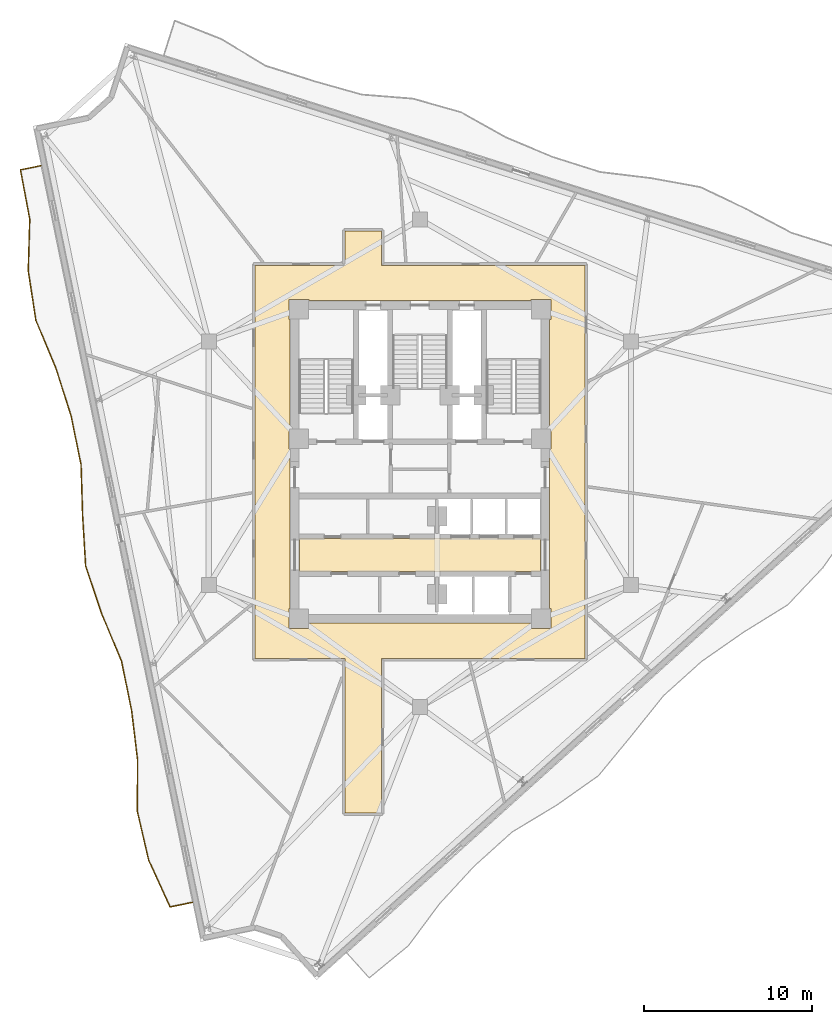
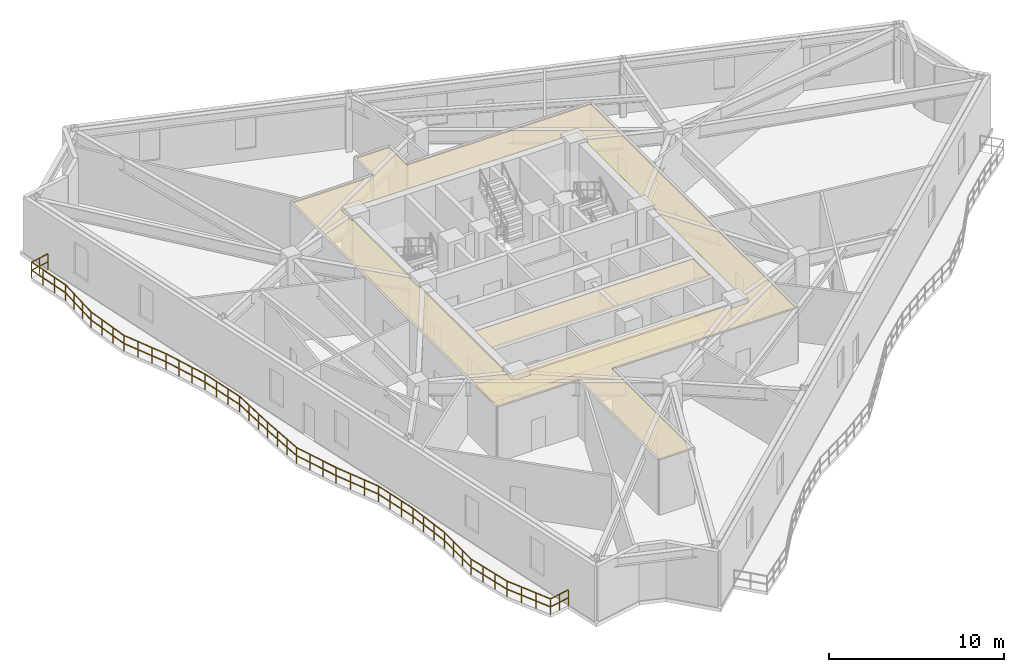
# One storey, part 9 of 12: 3 coverings, 1 railing.
"""IFC4 building model written with IfcOpenShell, lengths in metres."""

from ifc_helpers import new_model, si_unit, direction, frame, origin, origin_2d, place, context, subcontext, project, spatial, polyline, rectangle, outline, extrude, material, layer, layer_set, type_object, element, save


model = new_model("IFC4")

# Units and contexts
model_context = context("Model", 3, precision=1e-05, world=origin(), true_north=direction((0.0, 1.0)))
body_context = subcontext(model_context, "Body", "Model", "MODEL_VIEW")
ifc_project = project(units=[si_unit("LENGTHUNIT", "METRE"), si_unit("AREAUNIT", "SQUARE_METRE"), si_unit("VOLUMEUNIT", "CUBIC_METRE"), si_unit("PLANEANGLEUNIT", "RADIAN"), si_unit("MASSUNIT", "GRAM", prefix="KILO")], contexts=[model_context])

# Site, building, storey
site_placement = place(None, origin())
site = spatial("IfcSite", under=ifc_project, at=site_placement, CompositionType="ELEMENT")
building_placement = place(site_placement, origin())
building = spatial("IfcBuilding", under=site, at=building_placement, Name="Apsidion Concourse Tower", CompositionType="ELEMENT")
storey_placement = place(building_placement, frame((0.0, 0.0, 232.199951171875)))
storey = spatial("IfcBuildingStorey", under=building, at=storey_placement, Name="L54", CompositionType="ELEMENT", Elevation=232.199951171875)

# Coverings
ifc_material_1 = material(Name="Acoustic mineral fibre ceiling")
ifc_layer_1 = layer(ifc_material_1, 0.0400390625)
ifc_layer_set_1 = layer_set([ifc_layer_1], Name="Acoustic mineral fibre ceiling")
covering_type_1 = type_object("IfcCoveringType", Name="COV-CEIL-40", PredefinedType="CEILING", material=ifc_layer_set_1)
covering_1_placement = place(storey_placement, frame((0.0, 0.0, 3.75)))
element("IfcCovering", 1, at=covering_1_placement, inside=storey, type_object=covering_type_1, Name="L54 Acoustic Ceiling Grid 1", PredefinedType="CEILING", context=body_context, shape_type="SweptSolid", body=[
    extrude(outline(polyline([(-7.179931640625, -6.449951171875), (-7.179931640625, -4.47998046875), (7.179931640625, -4.47998046875), (7.179931640625, -6.449951171875), (-7.179931640625, -6.449951171875)])), origin(), (0.0, 0.0, 1.0), 0.0400390625),
])
covering_2_placement = place(storey_placement, frame((0.0, 0.0, 3.75)))
element("IfcCovering", 2, at=covering_2_placement, inside=storey, type_object=covering_type_1, Name="L54 Acoustic Ceiling Grid 2", PredefinedType="CEILING", context=body_context, shape_type="SweptSolid", body=[
    extrude(outline(polyline([(-9.820068359375, -11.6201171875), (-9.820068359375, 11.77001953125), (-4.449951171875, 11.77001953125), (-4.449951171875, 13.800048828125), (-2.300048828125, 13.800048828125), (-2.300048828125, 11.77001953125), (9.820068359375, 11.77001953125), (9.820068359375, -11.6201171875), (-2.300048828125, -11.6201171875), (-2.300048828125, -20.800048828125), (-4.449951171875, -20.800048828125), (-4.449951171875, -11.6201171875), (-9.820068359375, -11.6201171875)]), holes=[polyline([(-2.300048828125, 9.669921875), (-4.449951171875, 9.669921875), (-6.60498046875, 9.669921875), (-6.60498046875, 9.72509765625), (-6.60498046875, 9.72705078125), (-6.60546875, 9.72900390625), (-6.60595703125, 9.730712890625), (-6.6064453125, 9.732666015625), (-6.607421875, 9.734375), (-6.6083984375, 9.736083984375), (-6.609619140625, 9.73779296875), (-6.61083984375, 9.739013671875), (-6.6123046875, 9.740478515625), (-6.614013671875, 9.74169921875), (-6.615478515625, 9.74267578125), (-6.6171875, 9.743408203125), (-6.619140625, 9.744140625), (-6.62109375, 9.74462890625), (-6.623046875, 9.744873046875), (-6.625, 9.7451171875), (-7.77490234375, 9.7451171875), (-7.777099609375, 9.744873046875), (-7.77880859375, 9.74462890625), (-7.78076171875, 9.744140625), (-7.78271484375, 9.743408203125), (-7.784423828125, 9.74267578125), (-7.7861328125, 9.74169921875), (-7.78759765625, 9.740478515625), (-7.7890625, 9.739013671875), (-7.79052734375, 9.73779296875), (-7.79150390625, 9.736083984375), (-7.79248046875, 9.734375), (-7.79345703125, 9.732666015625), (-7.794189453125, 9.730712890625), (-7.794677734375, 9.72900390625), (-7.794921875, 9.72705078125), (-7.794921875, 9.72509765625), (-7.794921875, 8.574951171875), (-7.794921875, 8.572998046875), (-7.794677734375, 8.571044921875), (-7.794189453125, 8.569091796875), (-7.79345703125, 8.5673828125), (-7.79248046875, 8.565673828125), (-7.79150390625, 8.56396484375), (-7.79052734375, 8.562255859375), (-7.7890625, 8.560791015625), (-7.78759765625, 8.5595703125), (-7.7861328125, 8.558349609375), (-7.784423828125, 8.557373046875), (-7.78271484375, 8.556396484375), (-7.78076171875, 8.555908203125), (-7.77880859375, 8.555419921875), (-7.777099609375, 8.55517578125), (-7.77490234375, 8.554931640625), (-7.719970703125, 8.554931640625), (-7.719970703125, 2.044921875), (-7.77490234375, 2.044921875), (-7.777099609375, 2.044921875), (-7.77880859375, 2.044677734375), (-7.78076171875, 2.044189453125), (-7.78271484375, 2.04345703125), (-7.784423828125, 2.04248046875), (-7.7861328125, 2.04150390625), (-7.78759765625, 2.04052734375), (-7.7890625, 2.0390625), (-7.79052734375, 2.03759765625), (-7.79150390625, 2.0361328125), (-7.79248046875, 2.034423828125), (-7.79345703125, 2.03271484375), (-7.794189453125, 2.03076171875), (-7.794677734375, 2.02880859375), (-7.794921875, 2.027099609375), (-7.794921875, 2.02490234375), (-7.794921875, 0.875), (-7.794921875, 0.873046875), (-7.794677734375, 0.87109375), (-7.794189453125, 0.869140625), (-7.79345703125, 0.8671875), (-7.79248046875, 0.865478515625), (-7.79150390625, 0.864013671875), (-7.79052734375, 0.8623046875), (-7.7890625, 0.86083984375), (-7.78759765625, 0.859619140625), (-7.7861328125, 0.8583984375), (-7.784423828125, 0.857421875), (-7.78271484375, 0.8564453125), (-7.78076171875, 0.85595703125), (-7.77880859375, 0.85546875), (-7.777099609375, 0.85498046875), (-7.77490234375, 0.85498046875), (-7.719970703125, 0.85498046875), (-7.719970703125, -8.655029296875), (-7.77490234375, -8.655029296875), (-7.777099609375, -8.655029296875), (-7.77880859375, -8.655517578125), (-7.78076171875, -8.656005859375), (-7.78271484375, -8.656494140625), (-7.784423828125, -8.657470703125), (-7.7861328125, -8.658447265625), (-7.78759765625, -8.659423828125), (-7.7890625, -8.660888671875), (-7.79052734375, -8.662353515625), (-7.79150390625, -8.663818359375), (-7.79248046875, -8.66552734375), (-7.79345703125, -8.667236328125), (-7.794189453125, -8.669189453125), (-7.794677734375, -8.671142578125), (-7.794921875, -8.673095703125), (-7.794921875, -8.675048828125), (-7.794921875, -9.824951171875), (-7.794921875, -9.826904296875), (-7.794677734375, -9.828857421875), (-7.794189453125, -9.830810546875), (-7.79345703125, -9.832763671875), (-7.79248046875, -9.83447265625), (-7.79150390625, -9.836181640625), (-7.79052734375, -9.837646484375), (-7.7890625, -9.839111328125), (-7.78759765625, -9.840576171875), (-7.7861328125, -9.841552734375), (-7.784423828125, -9.842529296875), (-7.78271484375, -9.843505859375), (-7.78076171875, -9.843994140625), (-7.77880859375, -9.844482421875), (-7.777099609375, -9.844970703125), (-7.77490234375, -9.844970703125), (-6.625, -9.844970703125), (-6.623046875, -9.844970703125), (-6.62109375, -9.844482421875), (-6.619140625, -9.843994140625), (-6.6171875, -9.843505859375), (-6.615478515625, -9.842529296875), (-6.614013671875, -9.841552734375), (-6.6123046875, -9.840576171875), (-6.61083984375, -9.839111328125), (-6.609619140625, -9.837646484375), (-6.6083984375, -9.836181640625), (-6.607421875, -9.83447265625), (-6.6064453125, -9.832763671875), (-6.60595703125, -9.830810546875), (-6.60546875, -9.828857421875), (-6.60498046875, -9.826904296875), (-6.60498046875, -9.824951171875), (-6.60498046875, -9.52001953125), (-4.449951171875, -9.52001953125), (-2.300048828125, -9.52001953125), (6.60498046875, -9.52001953125), (6.60498046875, -9.824951171875), (6.60498046875, -9.826904296875), (6.60546875, -9.828857421875), (6.60595703125, -9.830810546875), (6.6064453125, -9.832763671875), (6.607421875, -9.83447265625), (6.6083984375, -9.836181640625), (6.609619140625, -9.837646484375), (6.61083984375, -9.839111328125), (6.6123046875, -9.840576171875), (6.614013671875, -9.841552734375), (6.615478515625, -9.842529296875), (6.6171875, -9.843505859375), (6.619140625, -9.843994140625), (6.62109375, -9.844482421875), (6.623046875, -9.844970703125), (6.625, -9.844970703125), (7.77490234375, -9.844970703125), (7.777099609375, -9.844970703125), (7.77880859375, -9.844482421875), (7.78076171875, -9.843994140625), (7.78271484375, -9.843505859375), (7.784423828125, -9.842529296875), (7.7861328125, -9.841552734375), (7.78759765625, -9.840576171875), (7.7890625, -9.839111328125), (7.79052734375, -9.837646484375), (7.79150390625, -9.836181640625), (7.79248046875, -9.83447265625), (7.79345703125, -9.832763671875), (7.794189453125, -9.830810546875), (7.794677734375, -9.828857421875), (7.794921875, -9.826904296875), (7.794921875, -9.824951171875), (7.794921875, -8.675048828125), (7.794921875, -8.673095703125), (7.794677734375, -8.671142578125), (7.794189453125, -8.669189453125), (7.79345703125, -8.667236328125), (7.79248046875, -8.66552734375), (7.79150390625, -8.663818359375), (7.79052734375, -8.662353515625), (7.7890625, -8.660888671875), (7.78759765625, -8.659423828125), (7.7861328125, -8.658447265625), (7.784423828125, -8.657470703125), (7.78271484375, -8.656494140625), (7.78076171875, -8.656005859375), (7.77880859375, -8.655517578125), (7.777099609375, -8.655029296875), (7.77490234375, -8.655029296875), (7.719970703125, -8.655029296875), (7.719970703125, 0.85498046875), (7.77490234375, 0.85498046875), (7.777099609375, 0.85498046875), (7.77880859375, 0.85546875), (7.78076171875, 0.85595703125), (7.78271484375, 0.8564453125), (7.784423828125, 0.857421875), (7.7861328125, 0.8583984375), (7.78759765625, 0.859619140625), (7.7890625, 0.86083984375), (7.79052734375, 0.8623046875), (7.79150390625, 0.864013671875), (7.79248046875, 0.865478515625), (7.79345703125, 0.8671875), (7.794189453125, 0.869140625), (7.794677734375, 0.87109375), (7.794921875, 0.873046875), (7.794921875, 0.875), (7.794921875, 2.02490234375), (7.794921875, 2.027099609375), (7.794677734375, 2.02880859375), (7.794189453125, 2.03076171875), (7.79345703125, 2.03271484375), (7.79248046875, 2.034423828125), (7.79150390625, 2.0361328125), (7.79052734375, 2.03759765625), (7.7890625, 2.0390625), (7.78759765625, 2.04052734375), (7.7861328125, 2.04150390625), (7.784423828125, 2.04248046875), (7.78271484375, 2.04345703125), (7.78076171875, 2.044189453125), (7.77880859375, 2.044677734375), (7.777099609375, 2.044921875), (7.77490234375, 2.044921875), (7.719970703125, 2.044921875), (7.719970703125, 8.554931640625), (7.77490234375, 8.554931640625), (7.777099609375, 8.55517578125), (7.77880859375, 8.555419921875), (7.78076171875, 8.555908203125), (7.78271484375, 8.556396484375), (7.784423828125, 8.557373046875), (7.7861328125, 8.558349609375), (7.78759765625, 8.5595703125), (7.7890625, 8.560791015625), (7.79052734375, 8.562255859375), (7.79150390625, 8.56396484375), (7.79248046875, 8.565673828125), (7.79345703125, 8.5673828125), (7.794189453125, 8.569091796875), (7.794677734375, 8.571044921875), (7.794921875, 8.572998046875), (7.794921875, 8.574951171875), (7.794921875, 9.72509765625), (7.794921875, 9.72705078125), (7.794677734375, 9.72900390625), (7.794189453125, 9.730712890625), (7.79345703125, 9.732666015625), (7.79248046875, 9.734375), (7.79150390625, 9.736083984375), (7.79052734375, 9.73779296875), (7.7890625, 9.739013671875), (7.78759765625, 9.740478515625), (7.7861328125, 9.74169921875), (7.784423828125, 9.74267578125), (7.78271484375, 9.743408203125), (7.78076171875, 9.744140625), (7.77880859375, 9.74462890625), (7.777099609375, 9.744873046875), (7.77490234375, 9.7451171875), (6.625, 9.7451171875), (6.623046875, 9.744873046875), (6.62109375, 9.74462890625), (6.619140625, 9.744140625), (6.6171875, 9.743408203125), (6.615478515625, 9.74267578125), (6.614013671875, 9.74169921875), (6.6123046875, 9.740478515625), (6.61083984375, 9.739013671875), (6.609619140625, 9.73779296875), (6.6083984375, 9.736083984375), (6.607421875, 9.734375), (6.6064453125, 9.732666015625), (6.60595703125, 9.730712890625), (6.60546875, 9.72900390625), (6.60498046875, 9.72705078125), (6.60498046875, 9.72509765625), (6.60498046875, 9.669921875), (-2.300048828125, 9.669921875)])]), origin(), (0.0, 0.0, 1.0), 0.0400390625),
])
ifc_material_2 = material(Name="Honed travertine floor finish", Category="masonry")
ifc_layer_2 = layer(ifc_material_2, 0.02001953125)
ifc_layer_set_2 = layer_set([ifc_layer_2], Name="Honed travertine floor finish")
covering_type_2 = type_object("IfcCoveringType", Name="COV-FLOR-20", PredefinedType="FLOORING", material=ifc_layer_set_2)
covering_3_placement = place(storey_placement, origin())
element("IfcCovering", 3, at=covering_3_placement, inside=storey, type_object=covering_type_2, Name="L54 Honed Travertine Floor Finish 1", PredefinedType="FLOORING", context=body_context, shape_type="SweptSolid", body=[
    extrude(outline(polyline([(-7.179931640625, -6.449951171875), (-7.179931640625, -4.47998046875), (7.179931640625, -4.47998046875), (7.179931640625, -6.449951171875), (-7.179931640625, -6.449951171875)])), origin(), (0.0, 0.0, 1.0), 0.02001953125),
])

# Railing
ifc_material_3 = material(Name="Brushed stainless steel 316", Category="steel")
railing_type = type_object("IfcRailingType", Name="RL-BAL-1120", PredefinedType="BALUSTRADE", material=ifc_material_3)
railing_placement = place(storey_placement, frame((-13.5322265625, -26.12451171875, 0.0)))
element("IfcRailing", 4, at=railing_placement, inside=storey, type_object=railing_type, Name="L54 Face 1 Rippling Balcony Balustrade", PredefinedType="BALUSTRADE", context=body_context, shape_type="SweptSolid", body=[
    extrude(rectangle(XDim=0.048095703125, YDim=0.048095703125, at=origin_2d()), frame((0.0, 0.0, 1.09619140625), z_axis=(-0.979512169577, -0.20138497871, 0.0), x_axis=(0.20138497871, -0.979512169577, 0.0)), (0.0, 0.0, 1.0), 1.362548828125),
    extrude(rectangle(XDim=0.048095703125, YDim=0.048095703125, at=origin_2d()), frame((0.0, 0.0, 0.5361328125), z_axis=(-0.979512169577, -0.20138497871, 0.0), x_axis=(0.20138497871, -0.979512169577, 0.0)), (0.0, 0.0, 1.0), 1.362548828125),
    extrude(rectangle(XDim=0.048095703125, YDim=0.048095703125, at=origin_2d()), frame((-1.334716796875, -0.2744140625, 1.09619140625), z_axis=(-0.416391061411, 0.9091856158, 0.0), x_axis=(-0.9091856158, -0.416391061411, 0.0)), (0.0, 0.0, 1.0), 3.061279296875),
    extrude(rectangle(XDim=0.048095703125, YDim=0.048095703125, at=origin_2d()), frame((-1.334716796875, -0.2744140625, 0.5361328125), z_axis=(-0.416391061411, 0.9091856158, 0.0), x_axis=(-0.9091856158, -0.416391061411, 0.0)), (0.0, 0.0, 1.0), 3.061279296875),
    extrude(rectangle(XDim=0.048095703125, YDim=0.048095703125, at=origin_2d()), frame((-2.609375, 2.5087890625, 1.09619140625), z_axis=(-0.226388940507, 0.974036984727, 0.0), x_axis=(-0.974036984727, -0.226388940507, 0.0)), (0.0, 0.0, 1.0), 2.98388671875),
    extrude(rectangle(XDim=0.048095703125, YDim=0.048095703125, at=origin_2d()), frame((-2.609375, 2.5087890625, 0.5361328125), z_axis=(-0.226388940507, 0.974036984727, 0.0), x_axis=(-0.974036984727, -0.226388940507, 0.0)), (0.0, 0.0, 1.0), 2.98388671875),
    extrude(rectangle(XDim=0.048095703125, YDim=0.048095703125, at=origin_2d()), frame((-3.284912109375, 5.415283203125, 1.09619140625), z_axis=(0.004885022196, 0.999988068208, 0.0), x_axis=(-0.999988068208, 0.004885022196, 0.0)), (0.0, 0.0, 1.0), 3.048583984375),
    extrude(rectangle(XDim=0.048095703125, YDim=0.048095703125, at=origin_2d()), frame((-3.284912109375, 5.415283203125, 0.5361328125), z_axis=(0.004885022196, 0.999988068208, 0.0), x_axis=(-0.999988068208, 0.004885022196, 0.0)), (0.0, 0.0, 1.0), 3.048583984375),
    extrude(rectangle(XDim=0.048095703125, YDim=0.048095703125, at=origin_2d()), frame((-3.27001953125, 8.4638671875, 1.09619140625), z_axis=(-0.119576198528, 0.992825026249, 0.0), x_axis=(-0.992825026249, -0.119576198528, 0.0)), (0.0, 0.0, 1.0), 2.9931640625),
    extrude(rectangle(XDim=0.048095703125, YDim=0.048095703125, at=origin_2d()), frame((-3.27001953125, 8.4638671875, 0.5361328125), z_axis=(-0.119576198528, 0.992825026249, 0.0), x_axis=(-0.992825026249, -0.119576198528, 0.0)), (0.0, 0.0, 1.0), 2.9931640625),
    extrude(rectangle(XDim=0.048095703125, YDim=0.048095703125, at=origin_2d()), frame((-3.6279296875, 11.435546875, 1.09619140625), z_axis=(-0.201417367965, 0.979505509878, 0.0), x_axis=(-0.979505509878, -0.201417367965, 0.0)), (0.0, 0.0, 1.0), 2.98291015625),
    extrude(rectangle(XDim=0.048095703125, YDim=0.048095703125, at=origin_2d()), frame((-3.6279296875, 11.435546875, 0.5361328125), z_axis=(-0.201417367965, 0.979505509878, 0.0), x_axis=(-0.979505509878, -0.201417367965, 0.0)), (0.0, 0.0, 1.0), 2.98291015625),
    extrude(rectangle(XDim=0.048095703125, YDim=0.048095703125, at=origin_2d()), frame((-4.228759765625, 14.357421875, 1.09619140625), z_axis=(-0.38592669414, 0.922529450343, 0.0), x_axis=(-0.922529450343, -0.38592669414, 0.0)), (0.0, 0.0, 1.0), 3.039794921875),
    extrude(rectangle(XDim=0.048095703125, YDim=0.048095703125, at=origin_2d()), frame((-4.228759765625, 14.357421875, 0.5361328125), z_axis=(-0.38592669414, 0.922529450343, 0.0), x_axis=(-0.922529450343, -0.38592669414, 0.0)), (0.0, 0.0, 1.0), 3.039794921875),
    extrude(rectangle(XDim=0.048095703125, YDim=0.048095703125, at=origin_2d()), frame((-5.40185546875, 17.16162109375, 1.09619140625), z_axis=(-0.318858656013, 0.947802277633, 0.0), x_axis=(-0.947802277633, -0.318858656013, 0.0)), (0.0, 0.0, 1.0), 3.00537109375),
    extrude(rectangle(XDim=0.048095703125, YDim=0.048095703125, at=origin_2d()), frame((-5.40185546875, 17.16162109375, 0.5361328125), z_axis=(-0.318858656013, 0.947802277633, 0.0), x_axis=(-0.947802277633, -0.318858656013, 0.0)), (0.0, 0.0, 1.0), 3.00537109375),
    extrude(rectangle(XDim=0.048095703125, YDim=0.048095703125, at=origin_2d()), frame((-6.360107421875, 20.010009765625, 1.09619140625), z_axis=(-0.060108614442, 0.998191842518, 0.0), x_axis=(-0.998191842518, -0.060108614442, 0.0)), (0.0, 0.0, 1.0), 3.013671875),
    extrude(rectangle(XDim=0.048095703125, YDim=0.048095703125, at=origin_2d()), frame((-6.360107421875, 20.010009765625, 0.5361328125), z_axis=(-0.060108614442, 0.998191842518, 0.0), x_axis=(-0.998191842518, -0.060108614442, 0.0)), (0.0, 0.0, 1.0), 3.013671875),
    extrude(rectangle(XDim=0.048095703125, YDim=0.048095703125, at=origin_2d()), frame((-6.541259765625, 23.018310546875, 1.09619140625), z_axis=(-0.030074314691, 0.999547665495, 0.0), x_axis=(-0.999547665495, -0.030074314691, 0.0)), (0.0, 0.0, 1.0), 3.028076171875),
    extrude(rectangle(XDim=0.048095703125, YDim=0.048095703125, at=origin_2d()), frame((-6.541259765625, 23.018310546875, 0.5361328125), z_axis=(-0.030074314691, 0.999547665495, 0.0), x_axis=(-0.999547665495, -0.030074314691, 0.0)), (0.0, 0.0, 1.0), 3.028076171875),
    extrude(rectangle(XDim=0.048095703125, YDim=0.048095703125, at=origin_2d()), frame((-6.63232421875, 26.044921875, 1.09619140625), z_axis=(-0.201417367965, 0.979505509878, 0.0), x_axis=(-0.979505509878, -0.201417367965, 0.0)), (0.0, 0.0, 1.0), 2.98291015625),
    extrude(rectangle(XDim=0.048095703125, YDim=0.048095703125, at=origin_2d()), frame((-6.63232421875, 26.044921875, 0.5361328125), z_axis=(-0.201417367965, 0.979505509878, 0.0), x_axis=(-0.979505509878, -0.201417367965, 0.0)), (0.0, 0.0, 1.0), 2.98291015625),
    extrude(rectangle(XDim=0.048095703125, YDim=0.048095703125, at=origin_2d()), frame((-7.233154296875, 28.966796875, 1.09619140625), z_axis=(-0.303895587971, 0.952705343541, 0.0), x_axis=(-0.952705343541, -0.303895587971, 0.0)), (0.0, 0.0, 1.0), 2.999755859375),
    extrude(rectangle(XDim=0.048095703125, YDim=0.048095703125, at=origin_2d()), frame((-7.233154296875, 28.966796875, 0.5361328125), z_axis=(-0.303895587971, 0.952705343541, 0.0), x_axis=(-0.952705343541, -0.303895587971, 0.0)), (0.0, 0.0, 1.0), 2.999755859375),
    extrude(rectangle(XDim=0.048095703125, YDim=0.048095703125, at=origin_2d()), frame((-8.144775390625, 31.82470703125, 1.09619140625), z_axis=(-0.387105525579, 0.922035418011, 0.0), x_axis=(-0.922035418011, -0.387105525579, 0.0)), (0.0, 0.0, 1.0), 3.04052734375),
    extrude(rectangle(XDim=0.048095703125, YDim=0.048095703125, at=origin_2d()), frame((-8.144775390625, 31.82470703125, 0.5361328125), z_axis=(-0.387105525579, 0.922035418011, 0.0), x_axis=(-0.922035418011, -0.387105525579, 0.0)), (0.0, 0.0, 1.0), 3.04052734375),
    extrude(rectangle(XDim=0.048095703125, YDim=0.048095703125, at=origin_2d()), frame((-9.32177734375, 34.628173828125, 1.09619140625), z_axis=(-0.151289406875, 0.988489512017, 0.0), x_axis=(-0.988489512017, -0.151289406875, 0.0)), (0.0, 0.0, 1.0), 2.987060546875),
    extrude(rectangle(XDim=0.048095703125, YDim=0.048095703125, at=origin_2d()), frame((-9.32177734375, 34.628173828125, 0.5361328125), z_axis=(-0.151289406875, 0.988489512017, 0.0), x_axis=(-0.988489512017, -0.151289406875, 0.0)), (0.0, 0.0, 1.0), 2.987060546875),
    extrude(rectangle(XDim=0.048095703125, YDim=0.048095703125, at=origin_2d()), frame((-9.773681640625, 37.580810546875, 1.09619140625), z_axis=(0.029628421139, 0.999560981962, 0.0), x_axis=(-0.999560981962, 0.029628421139, 0.0)), (0.0, 0.0, 1.0), 3.0654296875),
    extrude(rectangle(XDim=0.048095703125, YDim=0.048095703125, at=origin_2d()), frame((-9.773681640625, 37.580810546875, 0.5361328125), z_axis=(0.029628421139, 0.999560981962, 0.0), x_axis=(-0.999560981962, 0.029628421139, 0.0)), (0.0, 0.0, 1.0), 3.0654296875),
    extrude(rectangle(XDim=0.048095703125, YDim=0.048095703125, at=origin_2d()), frame((-9.682861328125, 40.644775390625, 1.09619140625), z_axis=(-0.185923696991, 0.982564185637, 0.0), x_axis=(-0.982564185637, -0.185923696991, 0.0)), (0.0, 0.0, 1.0), 2.9833984375),
    extrude(rectangle(XDim=0.048095703125, YDim=0.048095703125, at=origin_2d()), frame((-9.682861328125, 40.644775390625, 0.5361328125), z_axis=(-0.185923696991, 0.982564185637, 0.0), x_axis=(-0.982564185637, -0.185923696991, 0.0)), (0.0, 0.0, 1.0), 2.9833984375),
    extrude(rectangle(XDim=0.048095703125, YDim=0.048095703125, at=origin_2d()), frame((-10.237548828125, 43.576171875, 1.09619140625), z_axis=(0.979476326586, 0.201559236099, 0.0), x_axis=(-0.201559236099, 0.979476326586, 0.0)), (0.0, 0.0, 1.0), 1.25),
    extrude(rectangle(XDim=0.048095703125, YDim=0.048095703125, at=origin_2d()), frame((-10.237548828125, 43.576171875, 0.5361328125), z_axis=(0.979476326586, 0.201559236099, 0.0), x_axis=(-0.201559236099, 0.979476326586, 0.0)), (0.0, 0.0, 1.0), 1.25),
    extrude(rectangle(XDim=0.0419921875, YDim=0.0419921875, at=origin_2d()), origin(), (0.0, 0.0, 1.0), 1.072021484375),
    extrude(rectangle(XDim=0.0419921875, YDim=0.0419921875, at=origin_2d()), frame((-0.66748046875, -0.13720703125, 0.0)), (0.0, 0.0, 1.0), 1.072021484375),
    extrude(rectangle(XDim=0.0419921875, YDim=0.0419921875, at=origin_2d()), frame((-1.334716796875, -0.2744140625, 0.0)), (0.0, 0.0, 1.0), 1.072021484375),
    extrude(rectangle(XDim=0.0419921875, YDim=0.0419921875, at=origin_2d()), frame((-1.759521484375, 0.6533203125, 0.0)), (0.0, 0.0, 1.0), 1.072021484375),
    extrude(rectangle(XDim=0.0419921875, YDim=0.0419921875, at=origin_2d()), frame((-2.1845703125, 1.5810546875, 0.0)), (0.0, 0.0, 1.0), 1.072021484375),
    extrude(rectangle(XDim=0.0419921875, YDim=0.0419921875, at=origin_2d()), frame((-2.609375, 2.5087890625, 0.0)), (0.0, 0.0, 1.0), 1.072021484375),
    extrude(rectangle(XDim=0.0419921875, YDim=0.0419921875, at=origin_2d()), frame((-2.83447265625, 3.4775390625, 0.0)), (0.0, 0.0, 1.0), 1.072021484375),
    extrude(rectangle(XDim=0.0419921875, YDim=0.0419921875, at=origin_2d()), frame((-3.059814453125, 4.446533203125, 0.0)), (0.0, 0.0, 1.0), 1.072021484375),
    extrude(rectangle(XDim=0.0419921875, YDim=0.0419921875, at=origin_2d()), frame((-3.284912109375, 5.415283203125, 0.0)), (0.0, 0.0, 1.0), 1.072021484375),
    extrude(rectangle(XDim=0.0419921875, YDim=0.0419921875, at=origin_2d()), frame((-3.280029296875, 6.431396484375, 0.0)), (0.0, 0.0, 1.0), 1.072021484375),
    extrude(rectangle(XDim=0.0419921875, YDim=0.0419921875, at=origin_2d()), frame((-3.27490234375, 7.44775390625, 0.0)), (0.0, 0.0, 1.0), 1.072021484375),
    extrude(rectangle(XDim=0.0419921875, YDim=0.0419921875, at=origin_2d()), frame((-3.27001953125, 8.4638671875, 0.0)), (0.0, 0.0, 1.0), 1.072021484375),
    extrude(rectangle(XDim=0.0419921875, YDim=0.0419921875, at=origin_2d()), frame((-3.389404296875, 9.454345703125, 0.0)), (0.0, 0.0, 1.0), 1.072021484375),
    extrude(rectangle(XDim=0.0419921875, YDim=0.0419921875, at=origin_2d()), frame((-3.508544921875, 10.445068359375, 0.0)), (0.0, 0.0, 1.0), 1.072021484375),
    extrude(rectangle(XDim=0.0419921875, YDim=0.0419921875, at=origin_2d()), frame((-3.6279296875, 11.435546875, 0.0)), (0.0, 0.0, 1.0), 1.072021484375),
    extrude(rectangle(XDim=0.0419921875, YDim=0.0419921875, at=origin_2d()), frame((-3.828125, 12.409423828125, 0.0)), (0.0, 0.0, 1.0), 1.072021484375),
    extrude(rectangle(XDim=0.0419921875, YDim=0.0419921875, at=origin_2d()), frame((-4.028564453125, 13.383544921875, 0.0)), (0.0, 0.0, 1.0), 1.072021484375),
    extrude(rectangle(XDim=0.0419921875, YDim=0.0419921875, at=origin_2d()), frame((-4.228759765625, 14.357421875, 0.0)), (0.0, 0.0, 1.0), 1.072021484375),
    extrude(rectangle(XDim=0.0419921875, YDim=0.0419921875, at=origin_2d()), frame((-4.619873046875, 15.292236328125, 0.0)), (0.0, 0.0, 1.0), 1.072021484375),
    extrude(rectangle(XDim=0.0419921875, YDim=0.0419921875, at=origin_2d()), frame((-5.0107421875, 16.226806640625, 0.0)), (0.0, 0.0, 1.0), 1.072021484375),
    extrude(rectangle(XDim=0.0419921875, YDim=0.0419921875, at=origin_2d()), frame((-5.40185546875, 17.16162109375, 0.0)), (0.0, 0.0, 1.0), 1.072021484375),
    extrude(rectangle(XDim=0.0419921875, YDim=0.0419921875, at=origin_2d()), frame((-5.72119140625, 18.111083984375, 0.0)), (0.0, 0.0, 1.0), 1.072021484375),
    extrude(rectangle(XDim=0.0419921875, YDim=0.0419921875, at=origin_2d()), frame((-6.040771484375, 19.060546875, 0.0)), (0.0, 0.0, 1.0), 1.072021484375),
    extrude(rectangle(XDim=0.0419921875, YDim=0.0419921875, at=origin_2d()), frame((-6.360107421875, 20.010009765625, 0.0)), (0.0, 0.0, 1.0), 1.072021484375),
    extrude(rectangle(XDim=0.0419921875, YDim=0.0419921875, at=origin_2d()), frame((-6.42041015625, 21.0126953125, 0.0)), (0.0, 0.0, 1.0), 1.072021484375),
    extrude(rectangle(XDim=0.0419921875, YDim=0.0419921875, at=origin_2d()), frame((-6.48095703125, 22.015625, 0.0)), (0.0, 0.0, 1.0), 1.072021484375),
    extrude(rectangle(XDim=0.0419921875, YDim=0.0419921875, at=origin_2d()), frame((-6.541259765625, 23.018310546875, 0.0)), (0.0, 0.0, 1.0), 1.072021484375),
    extrude(rectangle(XDim=0.0419921875, YDim=0.0419921875, at=origin_2d()), frame((-6.571533203125, 24.027099609375, 0.0)), (0.0, 0.0, 1.0), 1.072021484375),
    extrude(rectangle(XDim=0.0419921875, YDim=0.0419921875, at=origin_2d()), frame((-6.60205078125, 25.0361328125, 0.0)), (0.0, 0.0, 1.0), 1.072021484375),
    extrude(rectangle(XDim=0.0419921875, YDim=0.0419921875, at=origin_2d()), frame((-6.63232421875, 26.044921875, 0.0)), (0.0, 0.0, 1.0), 1.072021484375),
    extrude(rectangle(XDim=0.0419921875, YDim=0.0419921875, at=origin_2d()), frame((-6.83251953125, 27.018798828125, 0.0)), (0.0, 0.0, 1.0), 1.072021484375),
    extrude(rectangle(XDim=0.0419921875, YDim=0.0419921875, at=origin_2d()), frame((-7.032958984375, 27.992919921875, 0.0)), (0.0, 0.0, 1.0), 1.072021484375),
    extrude(rectangle(XDim=0.0419921875, YDim=0.0419921875, at=origin_2d()), frame((-7.233154296875, 28.966796875, 0.0)), (0.0, 0.0, 1.0), 1.072021484375),
    extrude(rectangle(XDim=0.0419921875, YDim=0.0419921875, at=origin_2d()), frame((-7.537109375, 29.91943359375, 0.0)), (0.0, 0.0, 1.0), 1.072021484375),
    extrude(rectangle(XDim=0.0419921875, YDim=0.0419921875, at=origin_2d()), frame((-7.8408203125, 30.8720703125, 0.0)), (0.0, 0.0, 1.0), 1.072021484375),
    extrude(rectangle(XDim=0.0419921875, YDim=0.0419921875, at=origin_2d()), frame((-8.144775390625, 31.82470703125, 0.0)), (0.0, 0.0, 1.0), 1.072021484375),
    extrude(rectangle(XDim=0.0419921875, YDim=0.0419921875, at=origin_2d()), frame((-8.537109375, 32.75927734375, 0.0)), (0.0, 0.0, 1.0), 1.072021484375),
    extrude(rectangle(XDim=0.0419921875, YDim=0.0419921875, at=origin_2d()), frame((-8.929443359375, 33.693603515625, 0.0)), (0.0, 0.0, 1.0), 1.072021484375),
    extrude(rectangle(XDim=0.0419921875, YDim=0.0419921875, at=origin_2d()), frame((-9.32177734375, 34.628173828125, 0.0)), (0.0, 0.0, 1.0), 1.072021484375),
    extrude(rectangle(XDim=0.0419921875, YDim=0.0419921875, at=origin_2d()), frame((-9.472412109375, 35.6123046875, 0.0)), (0.0, 0.0, 1.0), 1.072021484375),
    extrude(rectangle(XDim=0.0419921875, YDim=0.0419921875, at=origin_2d()), frame((-9.623046875, 36.5966796875, 0.0)), (0.0, 0.0, 1.0), 1.072021484375),
    extrude(rectangle(XDim=0.0419921875, YDim=0.0419921875, at=origin_2d()), frame((-9.773681640625, 37.580810546875, 0.0)), (0.0, 0.0, 1.0), 1.072021484375),
    extrude(rectangle(XDim=0.0419921875, YDim=0.0419921875, at=origin_2d()), frame((-9.743408203125, 38.60205078125, 0.0)), (0.0, 0.0, 1.0), 1.072021484375),
    extrude(rectangle(XDim=0.0419921875, YDim=0.0419921875, at=origin_2d()), frame((-9.713134765625, 39.62353515625, 0.0)), (0.0, 0.0, 1.0), 1.072021484375),
    extrude(rectangle(XDim=0.0419921875, YDim=0.0419921875, at=origin_2d()), frame((-9.682861328125, 40.644775390625, 0.0)), (0.0, 0.0, 1.0), 1.072021484375),
    extrude(rectangle(XDim=0.0419921875, YDim=0.0419921875, at=origin_2d()), frame((-9.86767578125, 41.621826171875, 0.0)), (0.0, 0.0, 1.0), 1.072021484375),
    extrude(rectangle(XDim=0.0419921875, YDim=0.0419921875, at=origin_2d()), frame((-10.052734375, 42.59912109375, 0.0)), (0.0, 0.0, 1.0), 1.072021484375),
    extrude(rectangle(XDim=0.0419921875, YDim=0.0419921875, at=origin_2d()), frame((-10.237548828125, 43.576171875, 0.0)), (0.0, 0.0, 1.0), 1.072021484375),
    extrude(rectangle(XDim=0.0419921875, YDim=0.0419921875, at=origin_2d()), frame((-9.62548828125, 43.7021484375, 0.0)), (0.0, 0.0, 1.0), 1.072021484375),
    extrude(rectangle(XDim=0.0419921875, YDim=0.0419921875, at=origin_2d()), frame((-9.01318359375, 43.828125, 0.0)), (0.0, 0.0, 1.0), 1.072021484375),
])

save(model, "model.ifc")
